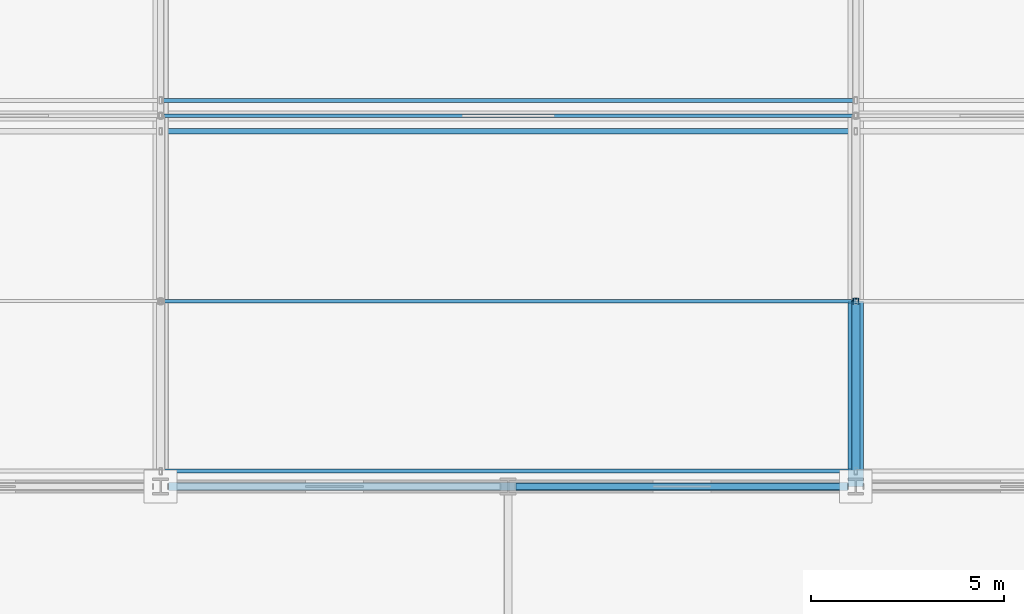
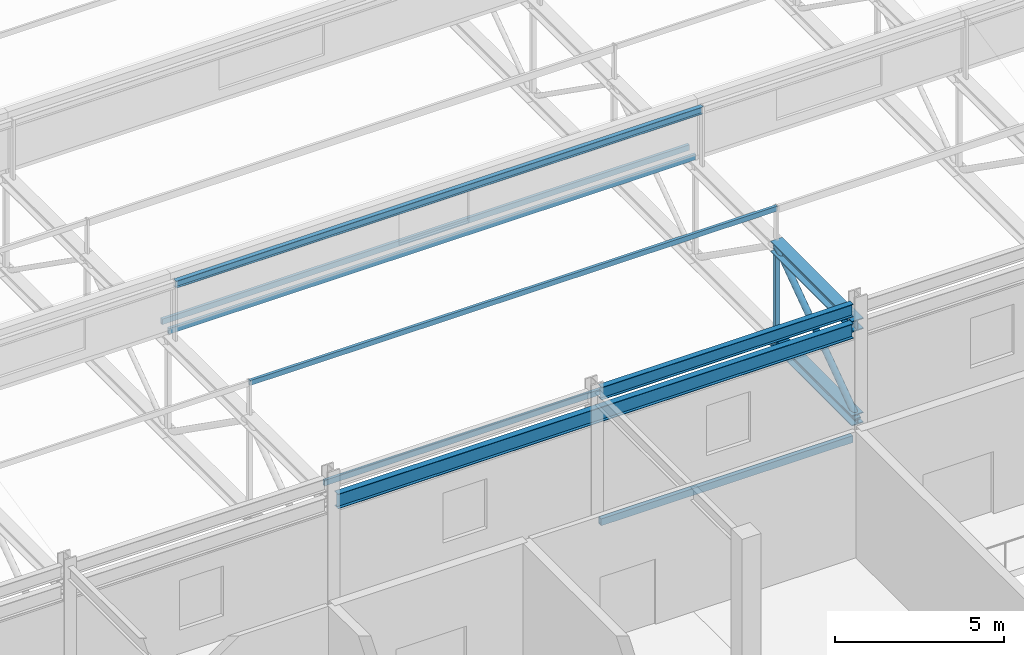
# One storey, part 26 of 136: 7 members, 5 beams.
"""IFC4 building model written with IfcOpenShell, lengths in metres."""

from ifc_helpers import new_model, si_unit, direction, frame, origin, origin_2d, place, context, subcontext, project, spatial, hollow_rectangle, hollow_circle, i_section, extrude, material, material_profile, profile_set, type_object, element, save


model = new_model("IFC4")

# Units and contexts
model_context = context("Model", 3, precision=1e-05, world=origin(), true_north=direction((0.0, 1.0)))
body_context = subcontext(model_context, "Body", "Model", "MODEL_VIEW")
ifc_project = project(units=[si_unit("LENGTHUNIT", "METRE"), si_unit("AREAUNIT", "SQUARE_METRE"), si_unit("VOLUMEUNIT", "CUBIC_METRE"), si_unit("PLANEANGLEUNIT", "RADIAN"), si_unit("MASSUNIT", "GRAM", prefix="KILO")], contexts=[model_context])

# Site, building, storey
site_placement = place(None, origin())
site = spatial("IfcSite", under=ifc_project, at=site_placement, CompositionType="ELEMENT")
building_placement = place(site_placement, origin())
building = spatial("IfcBuilding", under=site, at=building_placement, Name="Kisiwana Market Hall", CompositionType="ELEMENT")
storey_placement = place(building_placement, frame((0.0, 0.0, 16.800048828125)))
storey = spatial("IfcBuildingStorey", under=building, at=storey_placement, Name="L03", CompositionType="ELEMENT", Elevation=16.800048828125)

# Beams
ifc_material_1 = material(Name="Steel S355", Category="steel")
ifc_material_profile_1 = material_profile(ifc_material_1, i_section(OverallWidth=0.19140625, OverallDepth=0.4599609375, WebThickness=0.010009765625, FlangeThickness=0.01611328125, at=origin_2d()), Name="UB 457x191x82")
ifc_profile_set_1 = profile_set([ifc_material_profile_1], Name="Steel S355")
beam_type_1 = type_object("IfcBeamType", Name="BM-GIRD-UB457H", PredefinedType="BEAM", material=ifc_profile_set_1)
beam_1_placement = place(storey_placement, frame((99.201904296875, 36.0, 4.27783203125), z_axis=(1.0, 0.0, 0.0), x_axis=(0.0, 1.0, 0.0)))
element("IfcBeam", 1, at=beam_1_placement, inside=storey, type_object=beam_type_1, Name="Roof girder B-1141", PredefinedType="BEAM", context=body_context, shape_type="SweptSolid", body=[
    extrude(i_section(OverallWidth=0.19140625, OverallDepth=0.4599609375, WebThickness=0.010009765625, FlangeThickness=0.01611328125, at=origin_2d()), origin(), (0.0, 0.0, 1.0), 8.59619140625),
])
ifc_material_2 = material(Name="Steel S355", Category="steel")
ifc_material_profile_2 = material_profile(ifc_material_2, i_section(OverallWidth=0.209228515625, OverallDepth=0.533203125, WebThickness=0.010009765625, FlangeThickness=0.015625, at=origin_2d()), Name="UB 533x210x92")
ifc_profile_set_2 = profile_set([ifc_material_profile_2], Name="Steel S355")
beam_type_2 = type_object("IfcBeamType", Name="BM-GIRD-UB533", PredefinedType="BEAM", material=ifc_profile_set_2)
beam_2_placement = place(storey_placement, frame((90.199951171875, 36.0, 3.54345703125), z_axis=(1.0, 0.0, 0.0), x_axis=(0.0, 1.0, 0.0)))
element("IfcBeam", 2, at=beam_2_placement, inside=storey, type_object=beam_type_2, Name="Truss eaves tie B-1169", PredefinedType="BEAM", context=body_context, shape_type="SweptSolid", body=[
    extrude(i_section(OverallWidth=0.209228515625, OverallDepth=0.533203125, WebThickness=0.010009765625, FlangeThickness=0.015625, at=origin_2d()), origin(), (0.0, 0.0, 1.0), 17.60009765625),
])
ifc_material_3 = material(Name="Steel S355", Category="steel")
ifc_material_profile_3 = material_profile(ifc_material_3, hollow_rectangle(XDim=0.14990234375, YDim=0.25, WallThickness=0.010009765625, at=origin_2d()), Name="RHS 250x150x10.0")
ifc_profile_set_3 = profile_set([ifc_material_profile_3], Name="Steel S355")
beam_type_3 = type_object("IfcBeamType", Name="BM-SPAN-RHS250", PredefinedType="SPANDREL", material=ifc_profile_set_3)
beam_3_placement = place(storey_placement, frame((99.201904296875, 36.0, -0.375), z_axis=(1.0, 0.0, 0.0), x_axis=(0.0, 1.0, 0.0)))
element("IfcBeam", 3, at=beam_3_placement, inside=storey, type_object=beam_type_3, Name="Floor beam B-1015", PredefinedType="SPANDREL", context=body_context, shape_type="SweptSolid", body=[
    extrude(hollow_rectangle(XDim=0.14990234375, YDim=0.25, WallThickness=0.010009765625, at=origin_2d()), origin(), (0.0, 0.0, 1.0), 8.59619140625),
])
ifc_material_4 = material(Name="Steel S355", Category="steel")
ifc_material_profile_4 = material_profile(ifc_material_4, i_section(OverallWidth=0.394775390625, OverallDepth=0.381103515625, WebThickness=0.018310546875, FlangeThickness=0.0302734375, at=origin_2d()), Name="UC 356x406x235")
ifc_profile_set_4 = profile_set([ifc_material_profile_4], Name="Steel S355")
beam_type_4 = type_object("IfcBeamType", Name="BM-TRUSS-BOT", PredefinedType="USERDEFINED", material=ifc_profile_set_4)
beam_4_placement = place(storey_placement, frame((108.0, 36.0, 0.22998046875), z_axis=(0.0, 1.0, 0.0), x_axis=(-1.0, 0.0, 0.0)))
element("IfcBeam", 4, at=beam_4_placement, inside=storey, type_object=beam_type_4, Name="TR-05 BC panel 1 B-1257", ObjectType="ROOF TRUSS", PredefinedType="USERDEFINED", context=body_context, shape_type="SweptSolid", body=[
    extrude(i_section(OverallWidth=0.394775390625, OverallDepth=0.381103515625, WebThickness=0.018310546875, FlangeThickness=0.0302734375, at=origin_2d()), origin(), (0.0, 0.0, 1.0), 4.800048828125),
])
ifc_material_5 = material(Name="Steel S355", Category="steel")
ifc_material_profile_5 = material_profile(ifc_material_5, i_section(OverallWidth=0.39892578125, OverallDepth=0.3935546875, WebThickness=0.022705078125, FlangeThickness=0.03662109375, at=origin_2d()), Name="UC 356x406x287")
ifc_profile_set_5 = profile_set([ifc_material_profile_5], Name="Steel S355")
beam_type_5 = type_object("IfcBeamType", Name="BM-TRUSS-TOP", PredefinedType="USERDEFINED", material=ifc_profile_set_5)
beam_5_placement = place(storey_placement, frame((108.0, 36.0, 3.619873046875), z_axis=(0.0, 1.0, 0.0), x_axis=(-1.0, 0.0, 0.0)))
element("IfcBeam", 5, at=beam_5_placement, inside=storey, type_object=beam_type_5, Name="TR-05 TC panel 1 B-1267", ObjectType="ROOF TRUSS", PredefinedType="USERDEFINED", context=body_context, shape_type="SweptSolid", body=[
    extrude(i_section(OverallWidth=0.39892578125, OverallDepth=0.3935546875, WebThickness=0.022705078125, FlangeThickness=0.03662109375, at=origin_2d()), origin(), (0.0, 0.0, 1.0), 4.800048828125),
])

# Members
ifc_material_6 = material(Name="Steel S355", Category="steel")
ifc_material_profile_6 = material_profile(ifc_material_6, hollow_rectangle(XDim=0.10009765625, YDim=0.179931640625, WallThickness=0.008056640625, at=origin_2d()), Name="RHS 180x100x8")
ifc_profile_set_6 = profile_set([ifc_material_profile_6], Name="Steel S355")
member_type_1 = type_object("IfcMemberType", Name="MB-PURL-RHS180", PredefinedType="PURLIN", material=ifc_profile_set_6)
member_1_placement = place(storey_placement, frame((90.0, 40.800048828125, 4.9462890625), z_axis=(1.0, 0.0, 0.0), x_axis=(0.0, 1.0, 0.0)))
element("IfcMember", 6, at=member_1_placement, inside=storey, type_object=member_type_1, Name="Sawtooth mid-slope roof purlin 12 M-0094", PredefinedType="PURLIN", context=body_context, shape_type="SweptSolid", body=[
    extrude(hollow_rectangle(XDim=0.10009765625, YDim=0.179931640625, WallThickness=0.008056640625, at=origin_2d()), origin(), (0.0, 0.0, 1.0), 18.0),
])
ifc_material_7 = material(Name="Steel S355", Category="steel")
ifc_material_profile_7 = material_profile(ifc_material_7, hollow_rectangle(XDim=0.10009765625, YDim=0.199951171875, WallThickness=0.008056640625, at=origin_2d()), Name="RHS 200x100x8.0")
ifc_profile_set_7 = profile_set([ifc_material_profile_7], Name="Steel S355")
member_type_2 = type_object("IfcMemberType", Name="MB-ROOF-PURLIN1", PredefinedType="PURLIN", material=ifc_profile_set_7)
for number, where, z_axis, x_axis, name in (
    (7, (90.0, 36.39990234375, 4.0009765625), (1.0, 0.0, 0.0), (0.0, 1.0, 0.0), "Sawtooth roof purlin 186 M-0135"),
    (8, (90.0, 45.60009765625, 3.90087890625), (1.0, 0.0, 0.0), (0.0, 1.0, 0.0), "Sawtooth roof purlin 188 M-0137"),
    (9, (90.0, 46.0, 4.0009765625), (1.0, 0.0, 0.0), (0.0, 1.0, 0.0), "Sawtooth roof purlin 231 M-0156"),
):
    element("IfcMember", number, at=place(storey_placement, frame(where, z_axis=z_axis, x_axis=x_axis)), inside=storey, type_object=member_type_2, Name=name, PredefinedType="PURLIN", context=body_context, shape_type="SweptSolid", body=[
        extrude(hollow_rectangle(XDim=0.10009765625, YDim=0.199951171875, WallThickness=0.008056640625, at=origin_2d()), origin(), (0.0, 0.0, 1.0), 18.0),
    ])
ifc_material_8 = material(Name="Steel S355", Category="steel")
ifc_material_profile_8 = material_profile(ifc_material_8, i_section(OverallWidth=0.146484375, OverallDepth=0.256103515625, WebThickness=0.00634765625, FlangeThickness=0.010986328125, at=origin_2d()), Name="UB 254x146x37")
ifc_profile_set_8 = profile_set([ifc_material_profile_8], Name="Steel S355")
member_type_3 = type_object("IfcMemberType", Name="MB-ROOF-PURLIN2", PredefinedType="PURLIN", material=ifc_profile_set_8)
member_2_placement = place(storey_placement, frame((90.0, 45.199951171875, 5.843505859375), z_axis=(1.0, 0.0, 0.0), x_axis=(0.0, 1.0, 0.0)))
element("IfcMember", 10, at=member_2_placement, inside=storey, type_object=member_type_3, Name="Sawtooth roof purlin 187 M-0136", PredefinedType="PURLIN", context=body_context, shape_type="SweptSolid", body=[
    extrude(i_section(OverallWidth=0.146484375, OverallDepth=0.256103515625, WebThickness=0.00634765625, FlangeThickness=0.010986328125, at=origin_2d()), origin(), (0.0, 0.0, 1.0), 18.0),
])
ifc_material_9 = material(Name="Steel S355", Category="steel")
ifc_material_profile_9 = material_profile(ifc_material_9, hollow_circle(Radius=0.109619140625, WallThickness=0.012451171875, at=origin_2d()), Name="CHS 219.1x12.5")
ifc_profile_set_9 = profile_set([ifc_material_profile_9], Name="Steel S355")
member_type_4 = type_object("IfcMemberType", Name="MB-TR-DIAG219", PredefinedType="BRACE", material=ifc_profile_set_9)
member_3_placement = place(storey_placement, frame((108.0, 36.0, 0.22998046875), z_axis=(0.0, 0.816837735077, 0.576867501732), x_axis=(-1.0, 0.0, 0.0)))
element("IfcMember", 11, at=member_3_placement, inside=storey, type_object=member_type_4, Name="TR-05 diagonal 1 M-0411", PredefinedType="BRACE", context=body_context, shape_type="SweptSolid", body=[
    extrude(hollow_circle(Radius=0.109619140625, WallThickness=0.012451171875, at=origin_2d()), origin(), (0.0, 0.0, 1.0), 5.87646484375),
])
ifc_material_10 = material(Name="Steel S355", Category="steel")
ifc_material_profile_10 = material_profile(ifc_material_10, hollow_rectangle(XDim=0.14990234375, YDim=0.14990234375, WallThickness=0.008056640625, at=origin_2d()), Name="SHS 150x150x8.0")
ifc_profile_set_10 = profile_set([ifc_material_profile_10], Name="Steel S355")
member_type_5 = type_object("IfcMemberType", Name="MB-TR-STRUT200", PredefinedType="STRUT", material=ifc_profile_set_10)
member_4_placement = place(storey_placement, frame((108.0, 40.800048828125, 0.22998046875), z_axis=(0.0, 0.0, 1.0), x_axis=(1.0, 0.0, 0.0)))
element("IfcMember", 12, at=member_4_placement, inside=storey, type_object=member_type_5, Name="TR-05 vertical strut 2 M-0422", PredefinedType="STRUT", context=body_context, shape_type="SweptSolid", body=[
    extrude(hollow_rectangle(XDim=0.14990234375, YDim=0.14990234375, WallThickness=0.008056640625, at=origin_2d()), origin(), (0.0, 0.0, 1.0), 3.389892578125),
])

save(model, "model.ifc")
